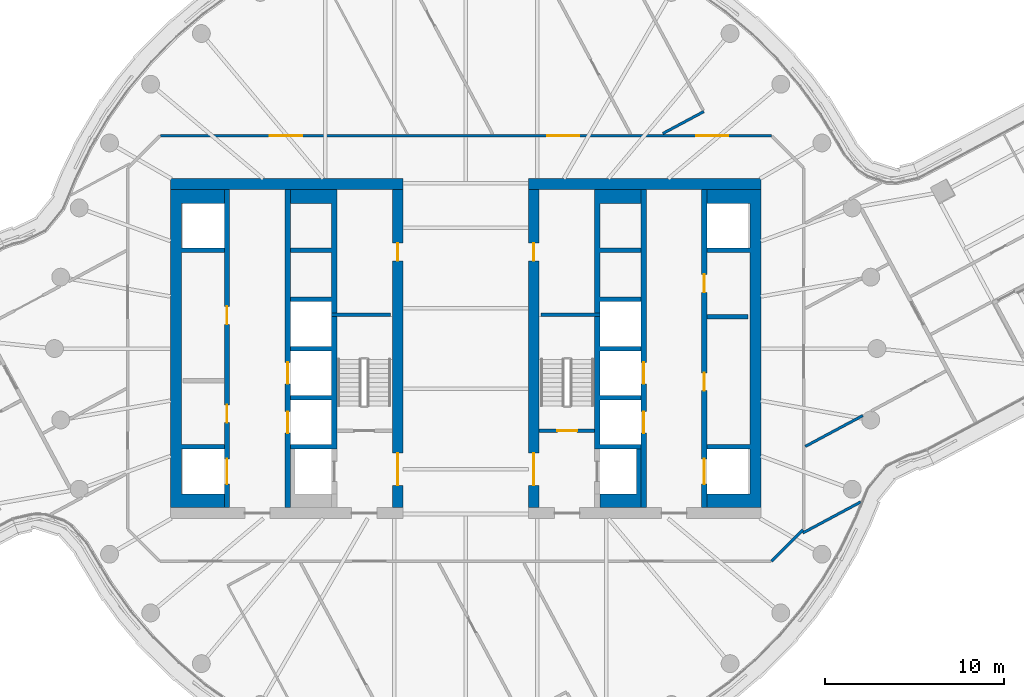
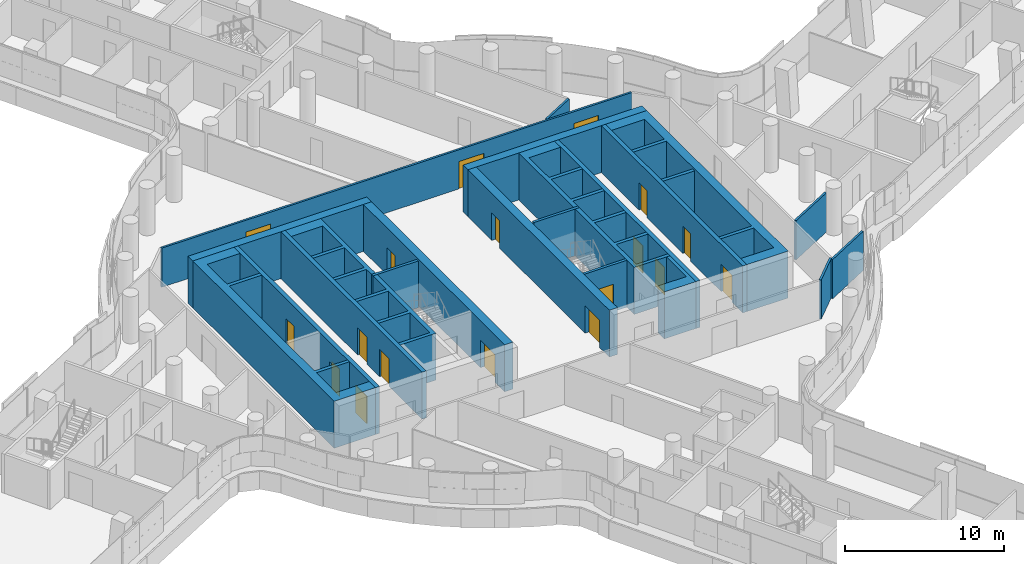
# One storey, part 21 of 33: 22 walls, 18 doors, 18 openings.
"""IFC4 building model written with IfcOpenShell, lengths in metres."""

from ifc_helpers import new_model, si_unit, direction, frame, frame_2d, origin, place, context, subcontext, project, spatial, polyline, rectangle, outline, extrude, material, layer, layer_set, type_object, element, fill, save


model = new_model("IFC4")

# Units and contexts
model_context = context("Model", 3, precision=1e-05, world=origin(), true_north=direction((0.0, 1.0)))
body_context = subcontext(model_context, "Body", "Model", "MODEL_VIEW")
ifc_project = project(units=[si_unit("LENGTHUNIT", "METRE"), si_unit("AREAUNIT", "SQUARE_METRE"), si_unit("VOLUMEUNIT", "CUBIC_METRE"), si_unit("PLANEANGLEUNIT", "RADIAN"), si_unit("MASSUNIT", "GRAM", prefix="KILO")], contexts=[model_context])

# Site, building, storey
site_placement = place(None, origin())
site = spatial("IfcSite", under=ifc_project, at=site_placement, CompositionType="ELEMENT")
building_placement = place(site_placement, origin())
building = spatial("IfcBuilding", under=site, at=building_placement, Name="Tamarind Cross Interchange Tower", CompositionType="ELEMENT")
storey_placement = place(building_placement, frame((0.0, 0.0, 136.75)))
storey = spatial("IfcBuildingStorey", under=building, at=storey_placement, Name="L33", CompositionType="ELEMENT", Elevation=136.75)

# Walls
ifc_material_1 = material(Name="Concrete C60", Category="concrete")
ifc_layer_1 = layer(ifc_material_1, 0.60009765625)
ifc_layer_set_1 = layer_set([ifc_layer_1], Name="Concrete C60")
wall_type_1 = type_object("IfcWallType", Name="Core wall 600 mm Concrete C60", PredefinedType="SHEAR", material=ifc_layer_set_1)
wall_1_placement = place(storey_placement, origin())
element("IfcWall", 1, at=wall_1_placement, inside=storey, type_object=wall_type_1, Name="Core wall CWL-L33-W-A", PredefinedType="SHEAR", context=body_context, shape_type="SweptSolid", body=[
    extrude(outline(polyline([(-13.5, -8.125), (-15.89990234375, -8.125), (-15.89990234375, -5.625), (-13.5, -5.625), (-13.5, -5.375), (-15.89990234375, -5.375), (-15.89990234375, 5.375), (-13.5, 5.375), (-13.5, 5.625), (-15.89990234375, 5.625), (-15.89990234375, 8.125), (-13.5, 8.125), (-13.5, 8.89990234375), (-15.89990234375, 8.89990234375), (-16.5, 8.89990234375), (-16.5, -8.89990234375), (-15.89990234375, -8.89990234375), (-13.5, -8.89990234375), (-13.5, -8.125)])), origin(), (0.0, 0.0, 1.0), 3.610107421875),
])
wall_2_placement = place(storey_placement, frame((-16.5, 9.199951171875, 0.0), z_axis=(0.0, 0.0, 1.0), x_axis=(1.0, 0.0, 0.0)))
element("IfcWall", 2, at=wall_2_placement, inside=storey, type_object=wall_type_1, Name="Core wall CWL-L33-W-NE", PredefinedType="SHEAR", context=body_context, shape_type="SweptSolid", body=[
    extrude(rectangle(XDim=13.0, YDim=0.60009765625, at=frame_2d((6.5, 0.0))), origin(), (0.0, 0.0, 1.0), 3.610107421875),
])

# Wall, openings, doors
wall_3_placement = place(storey_placement, frame((-3.800048828125, -8.89990234375, 0.0), z_axis=(0.0, 0.0, 1.0), x_axis=(0.0, 1.0, 0.0)))
wall_3 = element("IfcWall", 3, at=wall_3_placement, inside=storey, type_object=wall_type_1, Name="Core wall CWL-L33-W-IN", PredefinedType="SHEAR", context=body_context, shape_type="SweptSolid", body=[
    extrude(rectangle(XDim=17.7998046875, YDim=0.60009765625, at=frame_2d((8.89990234375, 0.0))), origin(), (0.0, 0.0, 1.0), 3.610107421875),
])
opening_1_placement = place(wall_3_placement, frame((1.25, 0.0, 0.0)))
opening_1 = element("IfcOpeningElement", 4, at=opening_1_placement, cuts=wall_3, Name="Opening DCW4", PredefinedType="OPENING", context=body_context, shape_type="SweptSolid", body=[
    extrude(rectangle(XDim=1.800048828125, YDim=2.10009765625, at=frame_2d((0.89990234375, 1.050048828125))), frame((0.0, 0.31005859375, 0.0), z_axis=(0.0, -1.0, 0.0), x_axis=(1.0, 0.0, 0.0)), (0.0, 0.0, 1.0), 0.6201171875),
])
opening_2_placement = place(wall_3_placement, frame((13.800048828125, 0.0, 0.0)))
opening_2 = element("IfcOpeningElement", 5, at=opening_2_placement, cuts=wall_3, Name="Opening DCW5", PredefinedType="OPENING", context=body_context, shape_type="SweptSolid", body=[
    extrude(rectangle(XDim=1.0, YDim=2.10009765625, at=frame_2d((0.5, 1.050048828125))), frame((0.0, 0.31005859375, 0.0), z_axis=(0.0, -1.0, 0.0), x_axis=(1.0, 0.0, 0.0)), (0.0, 0.0, 1.0), 0.6201171875),
])
ifc_material_2 = material(Name="Steel, fire-resisting", Category="steel")
door_type_1 = type_object("IfcDoorType", Name="Core fire door 1000 x 2100 FD90", OperationType="SINGLE_SWING_LEFT", PredefinedType="DOOR", material=ifc_material_2)
door_1_placement = place(opening_2_placement, origin())
door_1 = element("IfcDoor", 6, at=door_1_placement, inside=storey, type_object=door_type_1, Name="L33 riser room door", OperationType="SINGLE_SWING_LEFT", OverallHeight=2.10009765625, OverallWidth=1.0, PredefinedType="DOOR", context=body_context, shape_type="SweptSolid", body=[
    extrude(rectangle(XDim=1.0, YDim=2.10009765625, at=frame_2d((0.5, 1.050048828125))), frame((0.0, 0.02490234375, 0.0), z_axis=(0.0, -1.0, 0.0), x_axis=(1.0, 0.0, 0.0)), (0.0, 0.0, 1.0), 0.050048828125),
])
fill(opening_2, door_1)
door_type_2 = type_object("IfcDoorType", Name="Core fire door 1800 x 2100 FD90", OperationType="SINGLE_SWING_LEFT", PredefinedType="DOOR", material=ifc_material_2)
door_2_placement = place(opening_1_placement, origin())
door_2 = element("IfcDoor", 7, at=door_2_placement, inside=storey, type_object=door_type_2, Name="L33 firefighting lobby door", OperationType="SINGLE_SWING_LEFT", OverallHeight=2.10009765625, OverallWidth=1.800048828125, PredefinedType="DOOR", context=body_context, shape_type="SweptSolid", body=[
    extrude(rectangle(XDim=1.800048828125, YDim=2.10009765625, at=frame_2d((0.89990234375, 1.050048828125))), frame((0.0, 0.02490234375, 0.0), z_axis=(0.0, -1.0, 0.0), x_axis=(1.0, 0.0, 0.0)), (0.0, 0.0, 1.0), 0.050048828125),
])
fill(opening_1, door_2)

# Walls
wall_4_placement = place(storey_placement, origin())
element("IfcWall", 8, at=wall_4_placement, inside=storey, type_object=wall_type_1, Name="Core wall CWL-L33-E-A", PredefinedType="SHEAR", context=body_context, shape_type="SweptSolid", body=[
    extrude(outline(polyline([(13.5, -8.125), (13.5, -8.89990234375), (15.89990234375, -8.89990234375), (16.5, -8.89990234375), (16.5, 8.89990234375), (15.89990234375, 8.89990234375), (13.5, 8.89990234375), (13.5, 8.125), (15.89990234375, 8.125), (15.89990234375, 5.625), (13.5, 5.625), (13.5, 5.375), (15.89990234375, 5.375), (15.89990234375, -5.375), (13.5, -5.375), (13.5, -5.625), (15.89990234375, -5.625), (15.89990234375, -8.125), (13.5, -8.125)])), origin(), (0.0, 0.0, 1.0), 3.610107421875),
])
wall_5_placement = place(storey_placement, frame((16.5, 9.199951171875, 0.0), z_axis=(0.0, 0.0, 1.0), x_axis=(-1.0, 0.0, 0.0)))
element("IfcWall", 9, at=wall_5_placement, inside=storey, type_object=wall_type_1, Name="Core wall CWL-L33-E-NE", PredefinedType="SHEAR", context=body_context, shape_type="SweptSolid", body=[
    extrude(rectangle(XDim=13.0, YDim=0.60009765625, at=frame_2d((6.5, 0.0))), origin(), (0.0, 0.0, 1.0), 3.610107421875),
])

# Wall, openings, doors
wall_6_placement = place(storey_placement, frame((3.800048828125, -8.89990234375, 0.0), z_axis=(0.0, 0.0, 1.0), x_axis=(0.0, 1.0, 0.0)))
wall_6 = element("IfcWall", 10, at=wall_6_placement, inside=storey, type_object=wall_type_1, Name="Core wall CWL-L33-E-IN", PredefinedType="SHEAR", context=body_context, shape_type="SweptSolid", body=[
    extrude(rectangle(XDim=17.7998046875, YDim=0.60009765625, at=frame_2d((8.89990234375, 0.0))), origin(), (0.0, 0.0, 1.0), 3.610107421875),
])
opening_3_placement = place(wall_6_placement, frame((1.25, 0.0, 0.0)))
opening_3 = element("IfcOpeningElement", 11, at=opening_3_placement, cuts=wall_6, Name="Opening DCE4", PredefinedType="OPENING", context=body_context, shape_type="SweptSolid", body=[
    extrude(rectangle(XDim=1.800048828125, YDim=2.10009765625, at=frame_2d((0.89990234375, 1.050048828125))), frame((0.0, 0.31005859375, 0.0), z_axis=(0.0, -1.0, 0.0), x_axis=(1.0, 0.0, 0.0)), (0.0, 0.0, 1.0), 0.6201171875),
])
opening_4_placement = place(wall_6_placement, frame((13.800048828125, 0.0, 0.0)))
opening_4 = element("IfcOpeningElement", 12, at=opening_4_placement, cuts=wall_6, Name="Opening DCE5", PredefinedType="OPENING", context=body_context, shape_type="SweptSolid", body=[
    extrude(rectangle(XDim=1.0, YDim=2.10009765625, at=frame_2d((0.5, 1.050048828125))), frame((0.0, 0.31005859375, 0.0), z_axis=(0.0, -1.0, 0.0), x_axis=(1.0, 0.0, 0.0)), (0.0, 0.0, 1.0), 0.6201171875),
])
door_3_placement = place(opening_4_placement, origin())
door_3 = element("IfcDoor", 13, at=door_3_placement, inside=storey, type_object=door_type_1, Name="L33 riser room door", OperationType="SINGLE_SWING_LEFT", OverallHeight=2.10009765625, OverallWidth=1.0, PredefinedType="DOOR", context=body_context, shape_type="SweptSolid", body=[
    extrude(rectangle(XDim=1.0, YDim=2.10009765625, at=frame_2d((0.5, 1.050048828125))), frame((0.0, 0.02490234375, 0.0), z_axis=(0.0, -1.0, 0.0), x_axis=(1.0, 0.0, 0.0)), (0.0, 0.0, 1.0), 0.050048828125),
])
fill(opening_4, door_3)
door_4_placement = place(opening_3_placement, origin())
door_4 = element("IfcDoor", 14, at=door_4_placement, inside=storey, type_object=door_type_2, Name="L33 firefighting lobby door", OperationType="SINGLE_SWING_LEFT", OverallHeight=2.10009765625, OverallWidth=1.800048828125, PredefinedType="DOOR", context=body_context, shape_type="SweptSolid", body=[
    extrude(rectangle(XDim=1.800048828125, YDim=2.10009765625, at=frame_2d((0.89990234375, 1.050048828125))), frame((0.0, 0.02490234375, 0.0), z_axis=(0.0, -1.0, 0.0), x_axis=(1.0, 0.0, 0.0)), (0.0, 0.0, 1.0), 0.050048828125),
])
fill(opening_3, door_4)

# Walls
ifc_layer_2 = layer(ifc_material_1, 0.199951171875)
ifc_layer_set_2 = layer_set([ifc_layer_2], Name="Concrete C60")
wall_type_2 = type_object("IfcWallType", Name="Core web wall 200 mm Concrete C60", PredefinedType="SHEAR", material=ifc_layer_set_2)
for number, where, z_axis, x_axis, name in (
    (15, (-7.5, 1.89990234375, 0.0), (0.0, 0.0, 1.0), (1.0, 0.0, 0.0), "Core wall CWL-L33-W-BD"),
    (16, (7.5, 1.89990234375, 0.0), (0.0, 0.0, 1.0), (-1.0, 0.0, 0.0), "Core wall CWL-L33-E-BD"),
):
    element("IfcWall", number, at=place(storey_placement, frame(where, z_axis=z_axis, x_axis=x_axis)), inside=storey, type_object=wall_type_2, Name=name, PredefinedType="SHEAR", context=body_context, shape_type="SweptSolid", body=[
        extrude(rectangle(XDim=3.300048828125, YDim=0.199951171875, at=frame_2d((1.64990234375, 0.0))), origin(), (0.0, 0.0, 1.0), 3.610107421875),
    ])
ifc_layer_3 = layer(ifc_material_1, 0.300048828125)
ifc_layer_set_3 = layer_set([ifc_layer_3], Name="Concrete C60")
wall_type_3 = type_object("IfcWallType", Name="Core web wall 300 mm Concrete C60", PredefinedType="SHEAR", material=ifc_layer_set_3)
wall_7_placement = place(storey_placement, origin())
element("IfcWall", 17, at=wall_7_placement, inside=storey, type_object=wall_type_3, Name="Core wall CWL-L33-W-BN", PredefinedType="SHEAR", context=body_context, shape_type="SweptSolid", body=[
    extrude(outline(polyline([(-9.800048828125, -5.375), (-9.800048828125, -5.625), (-7.5, -5.625), (-7.199951171875, -5.625), (-7.199951171875, 8.89990234375), (-7.5, 8.89990234375), (-9.800048828125, 8.89990234375), (-9.800048828125, 8.125), (-7.5, 8.125), (-7.5, 5.625), (-9.800048828125, 5.625), (-9.800048828125, 5.375), (-7.5, 5.375), (-7.5, 2.875), (-9.800048828125, 2.875), (-9.800048828125, 2.625), (-7.5, 2.625), (-7.5, 0.125), (-9.800048828125, 0.125), (-9.800048828125, -0.125), (-7.5, -0.125), (-7.5, -2.625), (-9.800048828125, -2.625), (-9.800048828125, -2.875), (-7.5, -2.875), (-7.5, -5.375), (-9.800048828125, -5.375)])), origin(), (0.0, 0.0, 1.0), 3.610107421875),
])

# Wall, openings, doors
wall_8_placement = place(storey_placement, frame((-13.35009765625, -8.89990234375, 0.0), z_axis=(0.0, 0.0, 1.0), x_axis=(0.0, 1.0, 0.0)))
wall_8 = element("IfcWall", 18, at=wall_8_placement, inside=storey, type_object=wall_type_3, Name="Core wall CWL-L33-W-LA", PredefinedType="SHEAR", context=body_context, shape_type="SweptSolid", body=[
    extrude(rectangle(XDim=17.7998046875, YDim=0.300048828125, at=frame_2d((8.89990234375, 0.0))), origin(), (0.0, 0.0, 1.0), 3.610107421875),
])
opening_5_placement = place(wall_8_placement, frame((1.324951171875, 0.0, 0.0)))
opening_5 = element("IfcOpeningElement", 19, at=opening_5_placement, cuts=wall_8, Name="Opening LD1L33", PredefinedType="OPENING", context=body_context, shape_type="SweptSolid", body=[
    extrude(rectangle(XDim=1.39990234375, YDim=2.10009765625, at=frame_2d((0.699951171875, 1.050048828125))), frame((0.0, 0.159912109375, 0.0), z_axis=(0.0, -1.0, 0.0), x_axis=(1.0, 0.0, 0.0)), (0.0, 0.0, 1.0), 0.320068359375),
])
opening_6_placement = place(wall_8_placement, frame((4.75390625, 0.0, 0.0)))
opening_6 = element("IfcOpeningElement", 20, at=opening_6_placement, cuts=wall_8, Name="Opening DCW9", PredefinedType="OPENING", context=body_context, shape_type="SweptSolid", body=[
    extrude(rectangle(XDim=1.0, YDim=2.10009765625, at=frame_2d((0.5, 1.050048828125))), frame((0.0, 0.159912109375, 0.0), z_axis=(0.0, -1.0, 0.0), x_axis=(1.0, 0.0, 0.0)), (0.0, 0.0, 1.0), 0.320068359375),
])
opening_7_placement = place(wall_8_placement, frame((10.25390625, 0.0, 0.0)))
opening_7 = element("IfcOpeningElement", 21, at=opening_7_placement, cuts=wall_8, Name="Opening DCW10", PredefinedType="OPENING", context=body_context, shape_type="SweptSolid", body=[
    extrude(rectangle(XDim=1.0, YDim=2.10009765625, at=frame_2d((0.5, 1.050048828125))), frame((0.0, 0.159912109375, 0.0), z_axis=(0.0, -1.0, 0.0), x_axis=(1.0, 0.0, 0.0)), (0.0, 0.0, 1.0), 0.320068359375),
])
door_5_placement = place(opening_6_placement, origin())
door_5 = element("IfcDoor", 22, at=door_5_placement, inside=storey, type_object=door_type_1, Name="L33 Print room door", OperationType="SINGLE_SWING_LEFT", OverallHeight=2.10009765625, OverallWidth=1.0, PredefinedType="DOOR", context=body_context, shape_type="SweptSolid", body=[
    extrude(rectangle(XDim=1.0, YDim=2.10009765625, at=frame_2d((0.5, 1.050048828125))), frame((0.0, 0.02490234375, 0.0), z_axis=(0.0, -1.0, 0.0), x_axis=(1.0, 0.0, 0.0)), (0.0, 0.0, 1.0), 0.050048828125),
])
fill(opening_6, door_5)
door_6_placement = place(opening_7_placement, origin())
door_6 = element("IfcDoor", 23, at=door_6_placement, inside=storey, type_object=door_type_1, Name="L33 IT room door", OperationType="SINGLE_SWING_LEFT", OverallHeight=2.10009765625, OverallWidth=1.0, PredefinedType="DOOR", context=body_context, shape_type="SweptSolid", body=[
    extrude(rectangle(XDim=1.0, YDim=2.10009765625, at=frame_2d((0.5, 1.050048828125))), frame((0.0, 0.02490234375, 0.0), z_axis=(0.0, -1.0, 0.0), x_axis=(1.0, 0.0, 0.0)), (0.0, 0.0, 1.0), 0.050048828125),
])
fill(opening_7, door_6)
ifc_material_3 = material(Name="Stainless steel panel", Category="steel")
door_type_3 = type_object("IfcDoorType", Name="Lift landing door 1400 x 2100 E 120", OperationType="SLIDING_TO_LEFT", PredefinedType="DOOR", material=ifc_material_3)
door_7_placement = place(opening_5_placement, origin())
door_7 = element("IfcDoor", 24, at=door_7_placement, inside=storey, type_object=door_type_3, Name="L33 landing door LF1", OperationType="SLIDING_TO_LEFT", OverallHeight=2.10009765625, OverallWidth=1.39990234375, PredefinedType="DOOR", context=body_context, shape_type="SweptSolid", body=[
    extrude(rectangle(XDim=1.39990234375, YDim=2.10009765625, at=frame_2d((0.699951171875, 1.050048828125))), frame((0.0, 0.02490234375, 0.0), z_axis=(0.0, -1.0, 0.0), x_axis=(1.0, 0.0, 0.0)), (0.0, 0.0, 1.0), 0.050048828125),
])
fill(opening_5, door_7)

wall_9_placement = place(storey_placement, frame((-9.949951171875, -8.89990234375, 0.0), z_axis=(0.0, 0.0, 1.0), x_axis=(0.0, 1.0, 0.0)))
wall_9 = element("IfcWall", 25, at=wall_9_placement, inside=storey, type_object=wall_type_3, Name="Core wall CWL-L33-W-LB", PredefinedType="SHEAR", context=body_context, shape_type="SweptSolid", body=[
    extrude(rectangle(XDim=17.7998046875, YDim=0.300048828125, at=frame_2d((8.89990234375, 0.0))), origin(), (0.0, 0.0, 1.0), 3.610107421875),
])
opening_8_placement = place(wall_9_placement, frame((4.175048828125, 0.0, 0.0)))
opening_8 = element("IfcOpeningElement", 26, at=opening_8_placement, cuts=wall_9, Name="Opening LD8L33", PredefinedType="OPENING", context=body_context, shape_type="SweptSolid", body=[
    extrude(rectangle(XDim=1.199951171875, YDim=2.10009765625, at=frame_2d((0.60009765625, 1.050048828125))), frame((0.0, 0.159912109375, 0.0), z_axis=(0.0, -1.0, 0.0), x_axis=(1.0, 0.0, 0.0)), (0.0, 0.0, 1.0), 0.320068359375),
])
opening_9_placement = place(wall_9_placement, frame((6.925048828125, 0.0, 0.0)))
opening_9 = element("IfcOpeningElement", 27, at=opening_9_placement, cuts=wall_9, Name="Opening LD9L33", PredefinedType="OPENING", context=body_context, shape_type="SweptSolid", body=[
    extrude(rectangle(XDim=1.199951171875, YDim=2.10009765625, at=frame_2d((0.60009765625, 1.050048828125))), frame((0.0, 0.159912109375, 0.0), z_axis=(0.0, -1.0, 0.0), x_axis=(1.0, 0.0, 0.0)), (0.0, 0.0, 1.0), 0.320068359375),
])
door_type_4 = type_object("IfcDoorType", Name="Lift landing door 1200 x 2100 E 120", OperationType="SLIDING_TO_LEFT", PredefinedType="DOOR", material=ifc_material_3)
door_8_placement = place(opening_8_placement, origin())
door_8 = element("IfcDoor", 28, at=door_8_placement, inside=storey, type_object=door_type_4, Name="L33 landing door LF8", OperationType="SLIDING_TO_LEFT", OverallHeight=2.10009765625, OverallWidth=1.199951171875, PredefinedType="DOOR", context=body_context, shape_type="SweptSolid", body=[
    extrude(rectangle(XDim=1.199951171875, YDim=2.10009765625, at=frame_2d((0.60009765625, 1.050048828125))), frame((0.0, 0.02490234375, 0.0), z_axis=(0.0, -1.0, 0.0), x_axis=(1.0, 0.0, 0.0)), (0.0, 0.0, 1.0), 0.050048828125),
])
fill(opening_8, door_8)
door_9_placement = place(opening_9_placement, origin())
door_9 = element("IfcDoor", 29, at=door_9_placement, inside=storey, type_object=door_type_4, Name="L33 landing door LF9", OperationType="SLIDING_TO_LEFT", OverallHeight=2.10009765625, OverallWidth=1.199951171875, PredefinedType="DOOR", context=body_context, shape_type="SweptSolid", body=[
    extrude(rectangle(XDim=1.199951171875, YDim=2.10009765625, at=frame_2d((0.60009765625, 1.050048828125))), frame((0.0, 0.02490234375, 0.0), z_axis=(0.0, -1.0, 0.0), x_axis=(1.0, 0.0, 0.0)), (0.0, 0.0, 1.0), 0.050048828125),
])
fill(opening_9, door_9)

# Walls
wall_10_placement = place(storey_placement, origin())
element("IfcWall", 30, at=wall_10_placement, inside=storey, type_object=wall_type_3, Name="Core wall CWL-L33-E-BN", PredefinedType="SHEAR", context=body_context, shape_type="SweptSolid", body=[
    extrude(outline(polyline([(9.800048828125, -5.375), (7.5, -5.375), (7.5, -2.875), (9.800048828125, -2.875), (9.800048828125, -2.625), (7.5, -2.625), (7.5, -0.125), (9.800048828125, -0.125), (9.800048828125, 0.125), (7.5, 0.125), (7.5, 2.625), (9.800048828125, 2.625), (9.800048828125, 2.875), (7.5, 2.875), (7.5, 5.375), (9.800048828125, 5.375), (9.800048828125, 5.625), (7.5, 5.625), (7.5, 8.125), (9.800048828125, 8.125), (9.800048828125, 8.89990234375), (7.5, 8.89990234375), (7.199951171875, 8.89990234375), (7.199951171875, -5.625), (7.5, -5.625), (9.800048828125, -5.625), (9.800048828125, -5.375)])), origin(), (0.0, 0.0, 1.0), 3.610107421875),
])
wall_11_placement = place(storey_placement, origin())
element("IfcWall", 31, at=wall_11_placement, inside=storey, type_object=wall_type_3, Name="Core wall CWL-L33-E-BS", PredefinedType="SHEAR", context=body_context, shape_type="SweptSolid", body=[
    extrude(outline(polyline([(7.5, -8.125), (7.5, -8.89990234375), (9.800048828125, -8.89990234375), (9.800048828125, -8.125), (9.800048828125, -5.625), (9.550048828125, -5.625), (9.550048828125, -8.125), (7.5, -8.125)])), origin(), (0.0, 0.0, 1.0), 3.610107421875),
])

# Wall, openings, doors
wall_12_placement = place(storey_placement, frame((13.35009765625, -8.89990234375, 0.0), z_axis=(0.0, 0.0, 1.0), x_axis=(0.0, 1.0, 0.0)))
wall_12 = element("IfcWall", 32, at=wall_12_placement, inside=storey, type_object=wall_type_3, Name="Core wall CWL-L33-E-LA", PredefinedType="SHEAR", context=body_context, shape_type="SweptSolid", body=[
    extrude(rectangle(XDim=17.7998046875, YDim=0.300048828125, at=frame_2d((8.89990234375, 0.0))), origin(), (0.0, 0.0, 1.0), 3.610107421875),
])
opening_10_placement = place(wall_12_placement, frame((1.324951171875, 0.0, 0.0)))
opening_10 = element("IfcOpeningElement", 33, at=opening_10_placement, cuts=wall_12, Name="Opening LD13L33", PredefinedType="OPENING", context=body_context, shape_type="SweptSolid", body=[
    extrude(rectangle(XDim=1.39990234375, YDim=2.10009765625, at=frame_2d((0.699951171875, 1.050048828125))), frame((0.0, 0.159912109375, 0.0), z_axis=(0.0, -1.0, 0.0), x_axis=(1.0, 0.0, 0.0)), (0.0, 0.0, 1.0), 0.320068359375),
])
opening_11_placement = place(wall_12_placement, frame((6.5458984375, 0.0, 0.0)))
opening_11 = element("IfcOpeningElement", 34, at=opening_11_placement, cuts=wall_12, Name="Opening DCE9", PredefinedType="OPENING", context=body_context, shape_type="SweptSolid", body=[
    extrude(rectangle(XDim=1.0, YDim=2.10009765625, at=frame_2d((0.5, 1.050048828125))), frame((0.0, 0.159912109375, 0.0), z_axis=(0.0, -1.0, 0.0), x_axis=(1.0, 0.0, 0.0)), (0.0, 0.0, 1.0), 0.320068359375),
])
opening_12_placement = place(wall_12_placement, frame((12.0458984375, 0.0, 0.0)))
opening_12 = element("IfcOpeningElement", 35, at=opening_12_placement, cuts=wall_12, Name="Opening DCE10", PredefinedType="OPENING", context=body_context, shape_type="SweptSolid", body=[
    extrude(rectangle(XDim=1.0, YDim=2.10009765625, at=frame_2d((0.5, 1.050048828125))), frame((0.0, 0.159912109375, 0.0), z_axis=(0.0, -1.0, 0.0), x_axis=(1.0, 0.0, 0.0)), (0.0, 0.0, 1.0), 0.320068359375),
])
door_10_placement = place(opening_11_placement, origin())
door_10 = element("IfcDoor", 36, at=door_10_placement, inside=storey, type_object=door_type_1, Name="L33 IT room door", OperationType="SINGLE_SWING_LEFT", OverallHeight=2.10009765625, OverallWidth=1.0, PredefinedType="DOOR", context=body_context, shape_type="SweptSolid", body=[
    extrude(rectangle(XDim=1.0, YDim=2.10009765625, at=frame_2d((0.5, 1.050048828125))), frame((0.0, 0.02490234375, 0.0), z_axis=(0.0, -1.0, 0.0), x_axis=(1.0, 0.0, 0.0)), (0.0, 0.0, 1.0), 0.050048828125),
])
fill(opening_11, door_10)
door_11_placement = place(opening_12_placement, origin())
door_11 = element("IfcDoor", 37, at=door_11_placement, inside=storey, type_object=door_type_1, Name="L33 Cable room door", OperationType="SINGLE_SWING_LEFT", OverallHeight=2.10009765625, OverallWidth=1.0, PredefinedType="DOOR", context=body_context, shape_type="SweptSolid", body=[
    extrude(rectangle(XDim=1.0, YDim=2.10009765625, at=frame_2d((0.5, 1.050048828125))), frame((0.0, 0.02490234375, 0.0), z_axis=(0.0, -1.0, 0.0), x_axis=(1.0, 0.0, 0.0)), (0.0, 0.0, 1.0), 0.050048828125),
])
fill(opening_12, door_11)
door_12_placement = place(opening_10_placement, origin())
door_12 = element("IfcDoor", 38, at=door_12_placement, inside=storey, type_object=door_type_3, Name="L33 landing door LF13", OperationType="SLIDING_TO_LEFT", OverallHeight=2.10009765625, OverallWidth=1.39990234375, PredefinedType="DOOR", context=body_context, shape_type="SweptSolid", body=[
    extrude(rectangle(XDim=1.39990234375, YDim=2.10009765625, at=frame_2d((0.699951171875, 1.050048828125))), frame((0.0, 0.02490234375, 0.0), z_axis=(0.0, -1.0, 0.0), x_axis=(1.0, 0.0, 0.0)), (0.0, 0.0, 1.0), 0.050048828125),
])
fill(opening_10, door_12)

wall_13_placement = place(storey_placement, frame((9.949951171875, -8.89990234375, 0.0), z_axis=(0.0, 0.0, 1.0), x_axis=(0.0, 1.0, 0.0)))
wall_13 = element("IfcWall", 39, at=wall_13_placement, inside=storey, type_object=wall_type_3, Name="Core wall CWL-L33-E-LB", PredefinedType="SHEAR", context=body_context, shape_type="SweptSolid", body=[
    extrude(rectangle(XDim=17.7998046875, YDim=0.300048828125, at=frame_2d((8.89990234375, 0.0))), origin(), (0.0, 0.0, 1.0), 3.610107421875),
])
opening_13_placement = place(wall_13_placement, frame((4.175048828125, 0.0, 0.0)))
opening_13 = element("IfcOpeningElement", 40, at=opening_13_placement, cuts=wall_13, Name="Opening LD20L33", PredefinedType="OPENING", context=body_context, shape_type="SweptSolid", body=[
    extrude(rectangle(XDim=1.199951171875, YDim=2.10009765625, at=frame_2d((0.60009765625, 1.050048828125))), frame((0.0, 0.159912109375, 0.0), z_axis=(0.0, -1.0, 0.0), x_axis=(1.0, 0.0, 0.0)), (0.0, 0.0, 1.0), 0.320068359375),
])
opening_14_placement = place(wall_13_placement, frame((6.925048828125, 0.0, 0.0)))
opening_14 = element("IfcOpeningElement", 41, at=opening_14_placement, cuts=wall_13, Name="Opening LD21L33", PredefinedType="OPENING", context=body_context, shape_type="SweptSolid", body=[
    extrude(rectangle(XDim=1.199951171875, YDim=2.10009765625, at=frame_2d((0.60009765625, 1.050048828125))), frame((0.0, 0.159912109375, 0.0), z_axis=(0.0, -1.0, 0.0), x_axis=(1.0, 0.0, 0.0)), (0.0, 0.0, 1.0), 0.320068359375),
])
door_13_placement = place(opening_13_placement, origin())
door_13 = element("IfcDoor", 42, at=door_13_placement, inside=storey, type_object=door_type_4, Name="L33 landing door LF20", OperationType="SLIDING_TO_LEFT", OverallHeight=2.10009765625, OverallWidth=1.199951171875, PredefinedType="DOOR", context=body_context, shape_type="SweptSolid", body=[
    extrude(rectangle(XDim=1.199951171875, YDim=2.10009765625, at=frame_2d((0.60009765625, 1.050048828125))), frame((0.0, 0.02490234375, 0.0), z_axis=(0.0, -1.0, 0.0), x_axis=(1.0, 0.0, 0.0)), (0.0, 0.0, 1.0), 0.050048828125),
])
fill(opening_13, door_13)
door_14_placement = place(opening_14_placement, origin())
door_14 = element("IfcDoor", 43, at=door_14_placement, inside=storey, type_object=door_type_4, Name="L33 landing door LF21", OperationType="SLIDING_TO_LEFT", OverallHeight=2.10009765625, OverallWidth=1.199951171875, PredefinedType="DOOR", context=body_context, shape_type="SweptSolid", body=[
    extrude(rectangle(XDim=1.199951171875, YDim=2.10009765625, at=frame_2d((0.60009765625, 1.050048828125))), frame((0.0, 0.02490234375, 0.0), z_axis=(0.0, -1.0, 0.0), x_axis=(1.0, 0.0, 0.0)), (0.0, 0.0, 1.0), 0.050048828125),
])
fill(opening_14, door_14)

ifc_material_4 = material(Name="Gypsum board partition on steel studs", Category="steel")
ifc_layer_4 = layer(ifc_material_4, 0.14990234375)
ifc_layer_set_4 = layer_set([ifc_layer_4], Name="Gypsum board partition on steel studs")
wall_type_4 = type_object("IfcWallType", Name="Partition 150 mm EI 120", PredefinedType="PARTITIONING", material=ifc_layer_set_4)
wall_14_placement = place(storey_placement, frame((-17.06494140625, 11.89990234375, 0.0), z_axis=(0.0, 0.0, 1.0), x_axis=(1.0, 0.0, 0.0)))
wall_14 = element("IfcWall", 44, at=wall_14_placement, inside=storey, type_object=wall_type_4, Name="Partition L33-034", PredefinedType="PARTITIONING", context=body_context, shape_type="SweptSolid", body=[
    extrude(rectangle(XDim=34.1650390625, YDim=0.14990234375, at=frame_2d((17.08251953125, 0.0))), origin(), (0.0, 0.0, 1.0), 3.010009765625),
])
opening_15_placement = place(wall_14_placement, frame((21.6240234375, 0.0, 0.0)))
opening_15 = element("IfcOpeningElement", 45, at=opening_15_placement, cuts=wall_14, Name="Opening D26", PredefinedType="OPENING", context=body_context, shape_type="SweptSolid", body=[
    extrude(rectangle(XDim=1.800048828125, YDim=2.10009765625, at=frame_2d((0.89990234375, 1.050048828125))), frame((0.0, 0.0849609375, 0.0), z_axis=(0.0, -1.0, 0.0), x_axis=(1.0, 0.0, 0.0)), (0.0, 0.0, 1.0), 0.169921875),
])
opening_16_placement = place(wall_14_placement, frame((29.952880859375, 0.0, 0.0)))
opening_16 = element("IfcOpeningElement", 46, at=opening_16_placement, cuts=wall_14, Name="Opening D27", PredefinedType="OPENING", context=body_context, shape_type="SweptSolid", body=[
    extrude(rectangle(XDim=1.800048828125, YDim=2.10009765625, at=frame_2d((0.89990234375, 1.050048828125))), frame((0.0, 0.0849609375, 0.0), z_axis=(0.0, -1.0, 0.0), x_axis=(1.0, 0.0, 0.0)), (0.0, 0.0, 1.0), 0.169921875),
])
opening_17_placement = place(wall_14_placement, frame((6.114990234375, 0.0, 0.0)))
opening_17 = element("IfcOpeningElement", 47, at=opening_17_placement, cuts=wall_14, Name="Opening D28", PredefinedType="OPENING", context=body_context, shape_type="SweptSolid", body=[
    extrude(rectangle(XDim=1.800048828125, YDim=2.10009765625, at=frame_2d((0.89990234375, 1.050048828125))), frame((0.0, 0.0849609375, 0.0), z_axis=(0.0, -1.0, 0.0), x_axis=(1.0, 0.0, 0.0)), (0.0, 0.0, 1.0), 0.169921875),
])
ifc_material_5 = material(Name="Fire-resisting door set")
door_type_5 = type_object("IfcDoorType", Name="Interior door 1800 x 2100 FD60S", OperationType="DOUBLE_DOOR_SINGLE_SWING", PredefinedType="DOOR", material=ifc_material_5)
door_15_placement = place(opening_15_placement, frame((1.800048828125, 0.0, 0.0), z_axis=(0.0, 0.0, 1.0), x_axis=(-1.0, 0.0, 0.0)))
door_15 = element("IfcDoor", 48, at=door_15_placement, inside=storey, type_object=door_type_5, Name="Door D26", OperationType="DOUBLE_DOOR_SINGLE_SWING", OverallHeight=2.10009765625, OverallWidth=1.800048828125, PredefinedType="DOOR", context=body_context, shape_type="SweptSolid", body=[
    extrude(rectangle(XDim=1.800048828125, YDim=2.10009765625, at=frame_2d((0.89990234375, 1.050048828125))), frame((0.0, 0.02490234375, 0.0), z_axis=(0.0, -1.0, 0.0), x_axis=(1.0, 0.0, 0.0)), (0.0, 0.0, 1.0), 0.050048828125),
])
fill(opening_15, door_15)
door_16_placement = place(opening_16_placement, origin())
door_16 = element("IfcDoor", 49, at=door_16_placement, inside=storey, type_object=door_type_5, Name="Door D27", OperationType="DOUBLE_DOOR_SINGLE_SWING", OverallHeight=2.10009765625, OverallWidth=1.800048828125, PredefinedType="DOOR", context=body_context, shape_type="SweptSolid", body=[
    extrude(rectangle(XDim=1.800048828125, YDim=2.10009765625, at=frame_2d((0.89990234375, 1.050048828125))), frame((0.0, 0.02490234375, 0.0), z_axis=(0.0, -1.0, 0.0), x_axis=(1.0, 0.0, 0.0)), (0.0, 0.0, 1.0), 0.050048828125),
])
fill(opening_16, door_16)
door_17_placement = place(opening_17_placement, origin())
door_17 = element("IfcDoor", 50, at=door_17_placement, inside=storey, type_object=door_type_5, Name="Door D28", OperationType="DOUBLE_DOOR_SINGLE_SWING", OverallHeight=2.10009765625, OverallWidth=1.800048828125, PredefinedType="DOOR", context=body_context, shape_type="SweptSolid", body=[
    extrude(rectangle(XDim=1.800048828125, YDim=2.10009765625, at=frame_2d((0.89990234375, 1.050048828125))), frame((0.0, 0.02490234375, 0.0), z_axis=(0.0, -1.0, 0.0), x_axis=(1.0, 0.0, 0.0)), (0.0, 0.0, 1.0), 0.050048828125),
])
fill(opening_17, door_17)

# Walls
wall_15_placement = place(storey_placement, frame((11.01708984375, 12.02294921875, 0.0), z_axis=(0.0, 0.0, 1.0), x_axis=(0.881329583371, 0.472502026954, 0.0)))
element("IfcWall", 51, at=wall_15_placement, inside=storey, type_object=wall_type_4, Name="Partition L33-065", PredefinedType="PARTITIONING", context=body_context, shape_type="SweptSolid", body=[
    extrude(rectangle(XDim=2.607177734375, YDim=0.14990234375, at=frame_2d((1.3037109375, 0.0))), origin(), (0.0, 0.0, 1.0), 3.010009765625),
])
wall_16_placement = place(storey_placement, frame((18.848388671875, -10.31494140625, 0.0), z_axis=(0.0, 0.0, 1.0), x_axis=(0.881212234006, 0.472720846418, 0.0)))
element("IfcWall", 52, at=wall_16_placement, inside=storey, type_object=wall_type_4, Name="Partition L33-066", PredefinedType="PARTITIONING", context=body_context, shape_type="SweptSolid", body=[
    extrude(rectangle(XDim=3.675537109375, YDim=0.14990234375, at=frame_2d((1.837890625, 0.0))), origin(), (0.0, 0.0, 1.0), 3.010009765625),
])
wall_17_placement = place(storey_placement, frame((18.992431640625, -5.471435546875, 0.0), z_axis=(0.0, 0.0, 1.0), x_axis=(0.881220117458, 0.47270615036, 0.0)))
element("IfcWall", 53, at=wall_17_placement, inside=storey, type_object=wall_type_4, Name="Partition L33-067", PredefinedType="PARTITIONING", context=body_context, shape_type="SweptSolid", body=[
    extrude(rectangle(XDim=3.6474609375, YDim=0.14990234375, at=frame_2d((1.82373046875, 0.0))), origin(), (0.0, 0.0, 1.0), 3.010009765625),
])
wall_18_placement = place(storey_placement, frame((17.10009765625, -11.89990234375, 0.0), z_axis=(0.0, 0.0, 1.0), x_axis=(0.707106781187, 0.707106781187, 0.0)))
element("IfcWall", 54, at=wall_18_placement, inside=storey, type_object=wall_type_4, Name="Partition L33-077", PredefinedType="PARTITIONING", context=body_context, shape_type="SweptSolid", body=[
    extrude(rectangle(XDim=2.50537109375, YDim=0.14990234375, at=frame_2d((1.252685546875, 0.0))), origin(), (0.0, 0.0, 1.0), 3.010009765625),
])
ifc_material_6 = material(Name="Concrete C40", Category="concrete")
ifc_layer_5 = layer(ifc_material_6, 0.25)
ifc_layer_set_5 = layer_set([ifc_layer_5], Name="Concrete C40")
wall_type_5 = type_object("IfcWallType", Name="Shaft and lobby wall 250 mm Concrete C40", PredefinedType="PARTITIONING", material=ifc_layer_set_5)
wall_19_placement = place(storey_placement, frame((15.800048828125, 1.7919921875, 0.0), z_axis=(0.0, 0.0, 1.0), x_axis=(-1.0, 0.0, 0.0)))
element("IfcWall", 55, at=wall_19_placement, inside=storey, type_object=wall_type_5, Name="Shaft wall CWL-L33-E-FPA1", PredefinedType="PARTITIONING", context=body_context, shape_type="SweptSolid", body=[
    extrude(rectangle(XDim=2.300048828125, YDim=0.25, at=frame_2d((1.14990234375, 0.0))), origin(), (0.0, 0.0, 1.0), 3.610107421875),
])

# Wall, opening, door
ifc_layer_6 = layer(ifc_material_6, 0.199951171875)
ifc_layer_set_6 = layer_set([ifc_layer_6], Name="Concrete C40")
wall_type_6 = type_object("IfcWallType", Name="Stair shaft wall 200 mm Concrete C40", PredefinedType="SHEAR", material=ifc_layer_set_6)
wall_20_placement = place(storey_placement, frame((7.199951171875, -4.60009765625, 0.0), z_axis=(0.0, 0.0, 1.0), x_axis=(-1.0, 0.0, 0.0)))
wall_20 = element("IfcWall", 56, at=wall_20_placement, inside=storey, type_object=wall_type_6, Name="Core wall CWL-L33-E-SD", PredefinedType="SHEAR", context=body_context, shape_type="SweptSolid", body=[
    extrude(rectangle(XDim=3.099853515625, YDim=0.199951171875, at=frame_2d((1.5498046875, 0.0))), origin(), (0.0, 0.0, 1.0), 3.610107421875),
])
opening_18_placement = place(wall_20_placement, frame((0.97509765625, 0.0, 0.0)))
opening_18 = element("IfcOpeningElement", 57, at=opening_18_placement, cuts=wall_20, Name="Opening DCE6", PredefinedType="OPENING", context=body_context, shape_type="SweptSolid", body=[
    extrude(rectangle(XDim=1.10009765625, YDim=2.10009765625, at=frame_2d((0.550048828125, 1.050048828125))), frame((0.0, 0.10986328125, 0.0), z_axis=(0.0, -1.0, 0.0), x_axis=(1.0, 0.0, 0.0)), (0.0, 0.0, 1.0), 0.219970703125),
])
door_type_6 = type_object("IfcDoorType", Name="Core fire door 1100 x 2100 FD90", OperationType="SINGLE_SWING_LEFT", PredefinedType="DOOR", material=ifc_material_2)
door_18_placement = place(opening_18_placement, origin())
door_18 = element("IfcDoor", 58, at=door_18_placement, inside=storey, type_object=door_type_6, Name="L33 stair door", OperationType="SINGLE_SWING_LEFT", OverallHeight=2.10009765625, OverallWidth=1.10009765625, PredefinedType="DOOR", context=body_context, shape_type="SweptSolid", body=[
    extrude(rectangle(XDim=1.10009765625, YDim=2.10009765625, at=frame_2d((0.550048828125, 1.050048828125))), frame((0.0, 0.02490234375, 0.0), z_axis=(0.0, -1.0, 0.0), x_axis=(1.0, 0.0, 0.0)), (0.0, 0.0, 1.0), 0.050048828125),
])
fill(opening_18, door_18)

save(model, "model.ifc")
